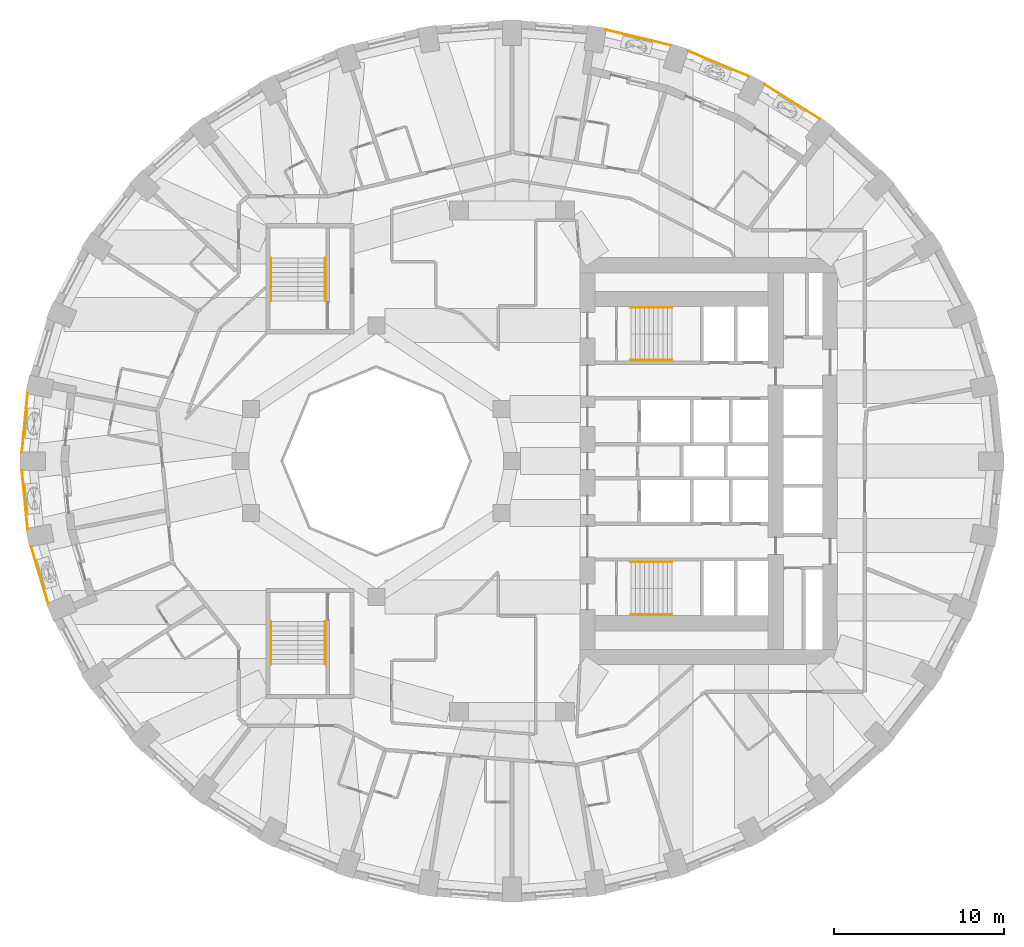
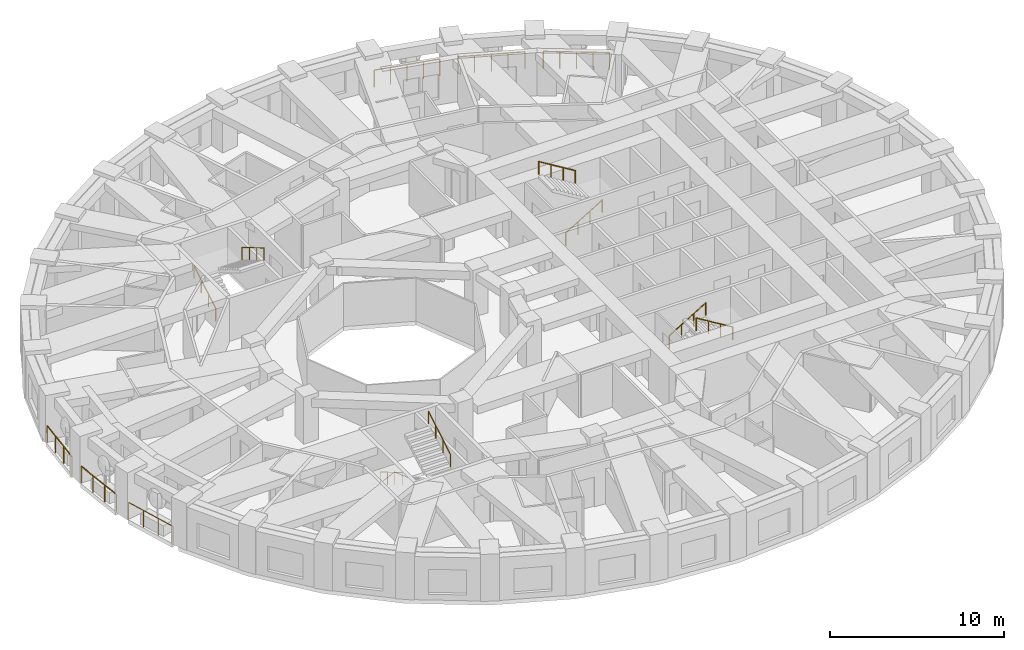
# One storey, part 11 of 13: 14 railings.
"""IFC4 building model written with IfcOpenShell, lengths in metres."""

import ifcopenshell
import ifcopenshell.guid

model = None  # the IFC model being written
_history = None  # IfcOwnerHistory: only IFC2X3 demands one
_inside = {}  # id of a spatial element -> (the spatial element, [elements in it])
_under = {}  # id of a project, library or spatial element -> (it, [spatial elements below it])
_declared = {}  # id of a project -> (the project, [libraries it declares])
_typed = {}  # id of a type object -> (the type object, [elements of that type])
_made_of = {}  # id of a material, layer set ... -> (it, [elements and type objects made of it])


def new_model(schema):
    """Start an empty IFC model of exactly this schema.

    Asked for "IFC4X3", IfcOpenShell would pick the latest addendum, in which some entities
    have other attributes; the version numbers below select the first issue.
    IFC2X3 requires an IfcOwnerHistory on every rooted entity: one is made here for all.
    """
    global model, _history
    if schema == "IFC4X3":
        model = ifcopenshell.file(schema_version=(4, 3, 0, 0))
    else:
        model = ifcopenshell.file(schema=schema)
    _inside.clear()
    _under.clear()
    _declared.clear()
    _typed.clear()
    _made_of.clear()
    _history = None
    if model.schema == "IFC2X3":
        org = make("IfcOrganization", Name="unknown")
        user = make(
            "IfcPersonAndOrganization",
            ThePerson=make("IfcPerson", FamilyName="unknown"),
            TheOrganization=org,
        )
        app = make(
            "IfcApplication",
            ApplicationDeveloper=org,
            Version="unknown",
            ApplicationFullName="unknown",
            ApplicationIdentifier="unknown",
        )
        _history = make(
            "IfcOwnerHistory",
            OwningUser=user,
            OwningApplication=app,
            ChangeAction="ADDED",
            CreationDate=0,
        )
    return model


def make(cls, **values):
    """One entity of the class cls with the attributes given. An attribute that is None is left unset."""
    return model.create_entity(
        cls, **{name: value for name, value in values.items() if value is not None}
    )


def rooted(cls, **values):
    """An entity with a GlobalId (a new one), such as an element, a storey or a relation."""
    return make(cls, GlobalId=ifcopenshell.guid.new(), OwnerHistory=_history, **values)


def si_unit(unit_type, name, prefix=None):
    """IfcSIUnit, for example si_unit("LENGTHUNIT", "METRE", prefix="MILLI")."""
    return make("IfcSIUnit", UnitType=unit_type, Prefix=prefix, Name=name)


def assignment(units):
    """IfcUnitAssignment: the units of a project."""
    return None if units is None else make("IfcUnitAssignment", Units=units)


def point(xyz):
    """IfcCartesianPoint."""
    return None if xyz is None else make("IfcCartesianPoint", Coordinates=xyz)


def direction(xyz):
    """IfcDirection."""
    return None if xyz is None else make("IfcDirection", DirectionRatios=xyz)


def frame(location, z_axis=None, x_axis=None):
    """IfcAxis2Placement3D, a coordinate frame: its origin and axes. An axis left out is left unset."""
    return make(
        "IfcAxis2Placement3D",
        Location=point(location),
        Axis=direction(z_axis),
        RefDirection=direction(x_axis),
    )


def frame_2d(location, x_axis=None):
    """IfcAxis2Placement2D, a coordinate frame in the plane: its origin and x axis."""
    return make(
        "IfcAxis2Placement2D", Location=point(location), RefDirection=direction(x_axis)
    )


def origin():
    """The frame at (0, 0, 0) with its axes left unset."""
    return frame((0.0, 0.0, 0.0))


def origin_2d():
    """The frame at (0, 0) in the plane with its x axis left unset."""
    return frame_2d((0.0, 0.0))


def place(relative_to, where):
    """IfcLocalPlacement: puts the frame where relative to a parent placement (None: the world)."""
    return make(
        "IfcLocalPlacement", PlacementRelTo=relative_to, RelativePlacement=where
    )


def context(
    kind, dimensions, precision=None, world=None, true_north=None, identifier=None
):
    """IfcGeometricRepresentationContext, for example the 3D "Model" context."""
    return make(
        "IfcGeometricRepresentationContext",
        ContextIdentifier=identifier,
        ContextType=kind,
        CoordinateSpaceDimension=dimensions,
        Precision=precision,
        WorldCoordinateSystem=world,
        TrueNorth=true_north,
    )


def subcontext(parent, identifier, kind, view, scale=None):
    """IfcGeometricRepresentationSubContext, for example "Body" below "Model"."""
    return make(
        "IfcGeometricRepresentationSubContext",
        ContextIdentifier=identifier,
        ContextType=kind,
        ParentContext=parent,
        TargetScale=scale,
        TargetView=view,
    )


def project(units=None, contexts=None):
    """IfcProject with its units and contexts."""
    return rooted(
        "IfcProject",
        Name="project",
        RepresentationContexts=contexts,
        UnitsInContext=assignment(units),
    )


def spatial(cls, under=None, at=None, **own):
    """A site, building, storey or space (cls), placed at a placement, below another one or the project."""
    s = rooted(cls, ObjectPlacement=at, **own)
    if under is not None:
        _under.setdefault(under.id(), (under, []))[1].append(s)
    return s


def profile(cls, at=None, kind="AREA", **sizes):
    """A parametric profile (cls). Its sizes go by their IFC names, for example OverallWidth=200.0."""
    return make(cls, ProfileType=kind, Position=at, **sizes)


def circle(**sizes):
    """IfcCircleProfileDef."""
    return profile("IfcCircleProfileDef", **sizes)


def extrude(swept, where, along, depth):
    """IfcExtrudedAreaSolid: the profile swept, set in the frame where, extruded along a direction by depth."""
    return make(
        "IfcExtrudedAreaSolid",
        SweptArea=swept,
        Position=where,
        ExtrudedDirection=direction(along),
        Depth=depth,
    )


def shape(context_of_items, identifier, shape_type, items):
    """IfcShapeRepresentation: the items that make up one representation, for example the "Body"."""
    return make(
        "IfcShapeRepresentation",
        ContextOfItems=context_of_items,
        RepresentationIdentifier=identifier,
        RepresentationType=shape_type,
        Items=items,
    )


def material(Name=None, Category=None):
    """IfcMaterial."""
    return make("IfcMaterial", Name=Name, Category=Category)


def made_of(thing, what):
    """Note that an element or type object is made of a material, layer set ...; save() writes the relation."""
    if what is not None:
        _made_of.setdefault(what.id(), (what, []))[1].append(thing)
    return thing


def type_object(cls, material=None, **own):
    """A type object (cls), such as IfcWallType, which elements share."""
    return made_of(rooted(cls, **own), material)


def element(
    cls,
    number,
    at=None,
    inside=None,
    cuts=None,
    type_object=None,
    material=None,
    context=None,
    identifier="Body",
    shape_type=None,
    held_by="IfcProductDefinitionShape",
    body=None,
    shapes=None,
    **own,
):
    """One element of the class cls, such as IfcWall. Its Tag is "e" and its number.

    at: its placement. inside: the storey or other place that contains it. cuts: it is an
    opening in that element (IfcRelVoidsElement). A single representation is given by context,
    identifier, shape_type and body (its items); several are given by shapes. held_by: the class
    of the entity that holds the representations. save() writes the other relations.
    """
    e = rooted(cls, Tag="e%d" % number, ObjectPlacement=at, **own)
    if body is not None:
        shapes = [shape(context, identifier, shape_type, body)]
    if shapes is not None:
        e.Representation = make(held_by, Representations=shapes)
    if inside is not None:
        _inside.setdefault(inside.id(), (inside, []))[1].append(e)
    if cuts is not None:
        rooted(
            "IfcRelVoidsElement", RelatingBuildingElement=cuts, RelatedOpeningElement=e
        )
    if type_object is not None:
        _typed.setdefault(type_object.id(), (type_object, []))[1].append(e)
    return made_of(e, material)


def aggregate(whole, parts):
    """IfcRelAggregates: a whole, such as a stair, and the parts it consists of."""
    return rooted("IfcRelAggregates", RelatingObject=whole, RelatedObjects=parts)


def save(model, path):
    """Write the relations noted so far, then the file.

    IfcRelAggregates (storeys below a building ...), IfcRelContainedInSpatialStructure (elements
    in a storey), IfcRelDefinesByType, IfcRelAssociatesMaterial and IfcRelDeclares: one each for
    every whole, place, type object, material and project.
    """
    for whole, parts in _under.values():
        aggregate(whole, parts)
    for where, things in _inside.values():
        rooted(
            "IfcRelContainedInSpatialStructure",
            RelatedElements=things,
            RelatingStructure=where,
        )
    for kind, things in _typed.values():
        rooted("IfcRelDefinesByType", RelatedObjects=things, RelatingType=kind)
    for what, things in _made_of.values():
        rooted("IfcRelAssociatesMaterial", RelatedObjects=things, RelatingMaterial=what)
    for by, libraries in _declared.values():
        rooted("IfcRelDeclares", RelatingContext=by, RelatedDefinitions=libraries)
    model.write(path)


model = new_model("IFC4")

# Units and contexts
model_context = context("Model", 3, precision=1e-05, world=origin(), true_north=direction((0.0, 1.0)))
body_context = subcontext(model_context, "Body", "Model", "MODEL_VIEW")
ifc_project = project(units=[si_unit("LENGTHUNIT", "METRE"), si_unit("AREAUNIT", "SQUARE_METRE"), si_unit("VOLUMEUNIT", "CUBIC_METRE"), si_unit("PLANEANGLEUNIT", "RADIAN"), si_unit("MASSUNIT", "GRAM", prefix="KILO")], contexts=[model_context])

# Site, building, storey
site_placement = place(None, origin())
site = spatial("IfcSite", under=ifc_project, at=site_placement, CompositionType="ELEMENT")
building_placement = place(site_placement, origin())
building = spatial("IfcBuilding", under=site, at=building_placement, Name="Taillehof Tower", CompositionType="ELEMENT")
storey_placement = place(building_placement, frame((0.0, 0.0, 61.300048828125)))
storey = spatial("IfcBuildingStorey", under=building, at=storey_placement, Name="L16", CompositionType="ELEMENT", Elevation=61.300048828125)

# Railings
ifc_material_1 = material(Name="Stainless steel balustrade", Category="steel")
railing_type_1 = type_object("IfcRailingType", Name="Balcony guard 1200", PredefinedType="GUARDRAIL", material=ifc_material_1)
railing_1_placement = place(storey_placement, frame((-28.549560546875, 3.987548828125, 0.0)))
element("IfcRailing", 1, at=railing_1_placement, inside=storey, type_object=railing_type_1, Name="Balcony guard L16 bay 18", PredefinedType="GUARDRAIL", context=body_context, shape_type="SweptSolid", body=[
    extrude(circle(Radius=0.02392578125, at=origin_2d()), frame((0.0, 0.0, 1.17578125), z_axis=(-0.097402182783, -0.995245102871, 0.0), x_axis=(0.995245102871, -0.097402182783, 0.0)), (0.0, 0.0, 1.0), 3.47412109375),
    extrude(circle(Radius=0.02099609375, at=origin_2d()), origin(), (0.0, 0.0, 1.0), 1.15185546875),
    extrude(circle(Radius=0.02099609375, at=origin_2d()), frame((-0.11279296875, -1.152587890625, 0.0)), (0.0, 0.0, 1.0), 1.15185546875),
    extrude(circle(Radius=0.02099609375, at=origin_2d()), frame((-0.2255859375, -2.304931640625, 0.0)), (0.0, 0.0, 1.0), 1.15185546875),
    extrude(circle(Radius=0.02099609375, at=origin_2d()), frame((-0.33837890625, -3.45751953125, 0.0)), (0.0, 0.0, 1.0), 1.15185546875),
])
railing_2_placement = place(storey_placement, frame((-28.887939453125, -0.530029296875, 0.0)))
element("IfcRailing", 2, at=railing_2_placement, inside=storey, type_object=railing_type_1, Name="Balcony guard L16 bay 19", PredefinedType="GUARDRAIL", context=body_context, shape_type="SweptSolid", body=[
    extrude(circle(Radius=0.02392578125, at=origin_2d()), frame((0.0, 0.0, 1.17578125), z_axis=(0.097402182783, -0.995245102871, 0.0), x_axis=(0.995245102871, 0.097402182783, 0.0)), (0.0, 0.0, 1.0), 3.47412109375),
    extrude(circle(Radius=0.02099609375, at=origin_2d()), origin(), (0.0, 0.0, 1.0), 1.15185546875),
    extrude(circle(Radius=0.02099609375, at=origin_2d()), frame((0.11279296875, -1.152587890625, 0.0)), (0.0, 0.0, 1.0), 1.15185546875),
    extrude(circle(Radius=0.02099609375, at=origin_2d()), frame((0.2255859375, -2.304931640625, 0.0)), (0.0, 0.0, 1.0), 1.15185546875),
    extrude(circle(Radius=0.02099609375, at=origin_2d()), frame((0.33837890625, -3.45751953125, 0.0)), (0.0, 0.0, 1.0), 1.15185546875),
])
railing_3_placement = place(storey_placement, frame((-28.3447265625, -5.02783203125, 0.0)))
element("IfcRailing", 3, at=railing_3_placement, inside=storey, type_object=railing_type_1, Name="Balcony guard L16 bay 20", PredefinedType="GUARDRAIL", context=body_context, shape_type="SweptSolid", body=[
    extrude(circle(Radius=0.02392578125, at=origin_2d()), frame((0.0, 0.0, 1.17578125), z_axis=(0.287098668231, -0.957901015085, 0.0), x_axis=(0.957901015085, 0.287098668231, 0.0)), (0.0, 0.0, 1.0), 3.505126953125),
    extrude(circle(Radius=0.02099609375, at=origin_2d()), origin(), (0.0, 0.0, 1.0), 1.15185546875),
    extrude(circle(Radius=0.02099609375, at=origin_2d()), frame((0.33544921875, -1.119140625, 0.0)), (0.0, 0.0, 1.0), 1.15185546875),
    extrude(circle(Radius=0.02099609375, at=origin_2d()), frame((0.6708984375, -2.238525390625, 0.0)), (0.0, 0.0, 1.0), 1.15185546875),
    extrude(circle(Radius=0.02099609375, at=origin_2d()), frame((1.00634765625, -3.357666015625, 0.0)), (0.0, 0.0, 1.0), 1.15185546875),
])
railing_4_placement = place(storey_placement, frame((18.12255859375, 20.176025390625, 0.0)))
element("IfcRailing", 4, at=railing_4_placement, inside=storey, type_object=railing_type_1, Name="Balcony guard L16 bay 6", PredefinedType="GUARDRAIL", context=body_context, shape_type="SweptSolid", body=[
    extrude(circle(Radius=0.02392578125, at=origin_2d()), frame((0.0, 0.0, 1.17578125), z_axis=(-0.847656150947, 0.530545992127, 0.0), x_axis=(-0.530545992127, -0.847656150947, 0.0)), (0.0, 0.0, 1.0), 3.810302734375),
    extrude(circle(Radius=0.02099609375, at=origin_2d()), origin(), (0.0, 0.0, 1.0), 1.15185546875),
    extrude(circle(Radius=0.02099609375, at=origin_2d()), frame((-0.807373046875, 0.50537109375, 0.0)), (0.0, 0.0, 1.0), 1.15185546875),
    extrude(circle(Radius=0.02099609375, at=origin_2d()), frame((-1.61474609375, 1.0107421875, 0.0)), (0.0, 0.0, 1.0), 1.15185546875),
    extrude(circle(Radius=0.02099609375, at=origin_2d()), frame((-2.42236328125, 1.51611328125, 0.0)), (0.0, 0.0, 1.0), 1.15185546875),
    extrude(circle(Radius=0.02099609375, at=origin_2d()), frame((-3.229736328125, 2.021484375, 0.0)), (0.0, 0.0, 1.0), 1.15185546875),
])
railing_5_placement = place(storey_placement, frame((13.951171875, 22.684326171875, 0.0)))
element("IfcRailing", 5, at=railing_5_placement, inside=storey, type_object=railing_type_1, Name="Balcony guard L16 bay 7", PredefinedType="GUARDRAIL", context=body_context, shape_type="SweptSolid", body=[
    extrude(circle(Radius=0.02392578125, at=origin_2d()), frame((0.0, 0.0, 1.17578125), z_axis=(-0.923011806559, 0.384771627011, 0.0), x_axis=(-0.384771627011, -0.923011806559, 0.0)), (0.0, 0.0, 1.0), 3.88330078125),
    extrude(circle(Radius=0.02099609375, at=origin_2d()), origin(), (0.0, 0.0, 1.0), 1.15185546875),
    extrude(circle(Radius=0.02099609375, at=origin_2d()), frame((-0.89599609375, 0.37353515625, 0.0)), (0.0, 0.0, 1.0), 1.15185546875),
    extrude(circle(Radius=0.02099609375, at=origin_2d()), frame((-1.7919921875, 0.7470703125, 0.0)), (0.0, 0.0, 1.0), 1.15185546875),
    extrude(circle(Radius=0.02099609375, at=origin_2d()), frame((-2.688232421875, 1.12060546875, 0.0)), (0.0, 0.0, 1.0), 1.15185546875),
    extrude(circle(Radius=0.02099609375, at=origin_2d()), frame((-3.584228515625, 1.494140625, 0.0)), (0.0, 0.0, 1.0), 1.15185546875),
])
railing_6_placement = place(storey_placement, frame((9.35888671875, 24.5068359375, 0.0)))
element("IfcRailing", 6, at=railing_6_placement, inside=storey, type_object=railing_type_1, Name="Balcony guard L16 bay 8", PredefinedType="GUARDRAIL", context=body_context, shape_type="SweptSolid", body=[
    extrude(circle(Radius=0.02392578125, at=origin_2d()), frame((0.0, 0.0, 1.17578125), z_axis=(-0.972495275648, 0.232922602687, 0.0), x_axis=(-0.232922602687, -0.972495275648, 0.0)), (0.0, 0.0, 1.0), 3.93701171875),
    extrude(circle(Radius=0.02099609375, at=origin_2d()), origin(), (0.0, 0.0, 1.0), 1.15185546875),
    extrude(circle(Radius=0.02099609375, at=origin_2d()), frame((-0.95703125, 0.229248046875, 0.0)), (0.0, 0.0, 1.0), 1.15185546875),
    extrude(circle(Radius=0.02099609375, at=origin_2d()), frame((-1.914306640625, 0.45849609375, 0.0)), (0.0, 0.0, 1.0), 1.15185546875),
    extrude(circle(Radius=0.02099609375, at=origin_2d()), frame((-2.87158203125, 0.687744140625, 0.0)), (0.0, 0.0, 1.0), 1.15185546875),
    extrude(circle(Radius=0.02099609375, at=origin_2d()), frame((-3.82861328125, 0.9169921875, 0.0)), (0.0, 0.0, 1.0), 1.15185546875),
])
ifc_material_2 = material(Name="Stainless steel", Category="steel")
railing_type_2 = type_object("IfcRailingType", Name="Stair handrail 900", PredefinedType="HANDRAIL", material=ifc_material_2)
railing_7_placement = place(storey_placement, frame((7.0, 5.949951171875, 0.1650390625)))
element("IfcRailing", 7, at=railing_7_placement, inside=storey, type_object=railing_type_2, Name="Stair S1 handrail", PredefinedType="HANDRAIL", context=body_context, shape_type="SweptSolid", body=[
    extrude(circle(Radius=0.02392578125, at=origin_2d()), frame((0.0, 0.0, 0.8759765625), z_axis=(0.853296667938, 0.0, 0.521425734392), x_axis=(0.0, 1.0, 0.0)), (0.0, 0.0, 1.0), 2.84765625),
    extrude(circle(Radius=0.02099609375, at=origin_2d()), origin(), (0.0, 0.0, 1.0), 0.851806640625),
    extrude(circle(Radius=0.02099609375, at=origin_2d()), frame((0.81005859375, 0.0, 0.494873046875)), (0.0, 0.0, 1.0), 0.851806640625),
    extrude(circle(Radius=0.02099609375, at=origin_2d()), frame((1.619873046875, 0.0, 0.989990234375)), (0.0, 0.0, 1.0), 0.851806640625),
    extrude(circle(Radius=0.02099609375, at=origin_2d()), frame((2.429931640625, 0.0, 1.48486328125)), (0.0, 0.0, 1.0), 0.851806640625),
])
railing_8_placement = place(storey_placement, frame((9.429931640625, 9.050048828125, 1.81494140625)))
element("IfcRailing", 8, at=railing_8_placement, inside=storey, type_object=railing_type_2, Name="Stair S1 handrail", PredefinedType="HANDRAIL", context=body_context, shape_type="SweptSolid", body=[
    extrude(circle(Radius=0.02392578125, at=origin_2d()), frame((0.0, 0.0, 0.8759765625), z_axis=(-0.853258522278, 0.0, 0.521488153423), x_axis=(0.0, -1.0, 0.0)), (0.0, 0.0, 1.0), 2.847900390625),
    extrude(circle(Radius=0.02099609375, at=origin_2d()), origin(), (0.0, 0.0, 1.0), 0.851806640625),
    extrude(circle(Radius=0.02099609375, at=origin_2d()), frame((-0.81005859375, 0.0, 0.4951171875)), (0.0, 0.0, 1.0), 0.851806640625),
    extrude(circle(Radius=0.02099609375, at=origin_2d()), frame((-1.619873046875, 0.0, 0.989990234375)), (0.0, 0.0, 1.0), 0.851806640625),
    extrude(circle(Radius=0.02099609375, at=origin_2d()), frame((-2.429931640625, 0.0, 1.485107421875)), (0.0, 0.0, 1.0), 0.851806640625),
])
railing_9_placement = place(storey_placement, frame((7.0, -5.949951171875, 0.1650390625)))
element("IfcRailing", 9, at=railing_9_placement, inside=storey, type_object=railing_type_2, Name="Stair S2 handrail", PredefinedType="HANDRAIL", context=body_context, shape_type="SweptSolid", body=[
    extrude(circle(Radius=0.02392578125, at=origin_2d()), frame((0.0, 0.0, 0.8759765625), z_axis=(0.853296667938, 0.0, 0.521425734392), x_axis=(0.0, 1.0, 0.0)), (0.0, 0.0, 1.0), 2.84765625),
    extrude(circle(Radius=0.02099609375, at=origin_2d()), origin(), (0.0, 0.0, 1.0), 0.851806640625),
    extrude(circle(Radius=0.02099609375, at=origin_2d()), frame((0.81005859375, 0.0, 0.494873046875)), (0.0, 0.0, 1.0), 0.851806640625),
    extrude(circle(Radius=0.02099609375, at=origin_2d()), frame((1.619873046875, 0.0, 0.989990234375)), (0.0, 0.0, 1.0), 0.851806640625),
    extrude(circle(Radius=0.02099609375, at=origin_2d()), frame((2.429931640625, 0.0, 1.48486328125)), (0.0, 0.0, 1.0), 0.851806640625),
])
railing_10_placement = place(storey_placement, frame((9.429931640625, -9.050048828125, 1.81494140625)))
element("IfcRailing", 10, at=railing_10_placement, inside=storey, type_object=railing_type_2, Name="Stair S2 handrail", PredefinedType="HANDRAIL", context=body_context, shape_type="SweptSolid", body=[
    extrude(circle(Radius=0.02392578125, at=origin_2d()), frame((0.0, 0.0, 0.8759765625), z_axis=(-0.853258522278, 0.0, 0.521488153423), x_axis=(0.0, -1.0, 0.0)), (0.0, 0.0, 1.0), 2.847900390625),
    extrude(circle(Radius=0.02099609375, at=origin_2d()), origin(), (0.0, 0.0, 1.0), 0.851806640625),
    extrude(circle(Radius=0.02099609375, at=origin_2d()), frame((-0.81005859375, 0.0, 0.4951171875)), (0.0, 0.0, 1.0), 0.851806640625),
    extrude(circle(Radius=0.02099609375, at=origin_2d()), frame((-1.619873046875, 0.0, 0.989990234375)), (0.0, 0.0, 1.0), 0.851806640625),
    extrude(circle(Radius=0.02099609375, at=origin_2d()), frame((-2.429931640625, 0.0, 1.485107421875)), (0.0, 0.0, 1.0), 0.851806640625),
])
railing_11_placement = place(storey_placement, frame((-14.199951171875, 9.449951171875, 0.1650390625)))
element("IfcRailing", 11, at=railing_11_placement, inside=storey, type_object=railing_type_2, Name="Stair S3 handrail", PredefinedType="HANDRAIL", context=body_context, shape_type="SweptSolid", body=[
    extrude(circle(Radius=0.02392578125, at=origin_2d()), frame((0.0, 0.0, 0.8759765625), z_axis=(0.0, 0.861560626758, 0.507654692109), x_axis=(-1.0, 0.0, 0.0)), (0.0, 0.0, 1.0), 2.925048828125),
    extrude(circle(Radius=0.02099609375, at=origin_2d()), origin(), (0.0, 0.0, 1.0), 0.851806640625),
    extrude(circle(Radius=0.02099609375, at=origin_2d()), frame((0.0, 0.840087890625, 0.494873046875)), (0.0, 0.0, 1.0), 0.851806640625),
    extrude(circle(Radius=0.02099609375, at=origin_2d()), frame((0.0, 1.679931640625, 0.989990234375)), (0.0, 0.0, 1.0), 0.851806640625),
    extrude(circle(Radius=0.02099609375, at=origin_2d()), frame((0.0, 2.52001953125, 1.48486328125)), (0.0, 0.0, 1.0), 0.851806640625),
])
railing_12_placement = place(storey_placement, frame((-11.0, 11.969970703125, 1.81494140625)))
element("IfcRailing", 12, at=railing_12_placement, inside=storey, type_object=railing_type_2, Name="Stair S3 handrail", PredefinedType="HANDRAIL", context=body_context, shape_type="SweptSolid", body=[
    extrude(circle(Radius=0.02392578125, at=origin_2d()), frame((0.0, 0.0, 0.8759765625), z_axis=(0.0, -0.86152411907, 0.507716645641), x_axis=(1.0, 0.0, 0.0)), (0.0, 0.0, 1.0), 2.925048828125),
    extrude(circle(Radius=0.02099609375, at=origin_2d()), origin(), (0.0, 0.0, 1.0), 0.851806640625),
    extrude(circle(Radius=0.02099609375, at=origin_2d()), frame((0.0, -0.840087890625, 0.4951171875)), (0.0, 0.0, 1.0), 0.851806640625),
    extrude(circle(Radius=0.02099609375, at=origin_2d()), frame((0.0, -1.679931640625, 0.989990234375)), (0.0, 0.0, 1.0), 0.851806640625),
    extrude(circle(Radius=0.02099609375, at=origin_2d()), frame((0.0, -2.52001953125, 1.485107421875)), (0.0, 0.0, 1.0), 0.851806640625),
])
railing_13_placement = place(storey_placement, frame((-14.199951171875, -9.449951171875, 0.1650390625)))
element("IfcRailing", 13, at=railing_13_placement, inside=storey, type_object=railing_type_2, Name="Stair S4 handrail", PredefinedType="HANDRAIL", context=body_context, shape_type="SweptSolid", body=[
    extrude(circle(Radius=0.02392578125, at=origin_2d()), frame((0.0, 0.0, 0.8759765625), z_axis=(0.0, -0.861560626758, 0.507654692109), x_axis=(1.0, 0.0, 0.0)), (0.0, 0.0, 1.0), 2.925048828125),
    extrude(circle(Radius=0.02099609375, at=origin_2d()), origin(), (0.0, 0.0, 1.0), 0.851806640625),
    extrude(circle(Radius=0.02099609375, at=origin_2d()), frame((0.0, -0.840087890625, 0.494873046875)), (0.0, 0.0, 1.0), 0.851806640625),
    extrude(circle(Radius=0.02099609375, at=origin_2d()), frame((0.0, -1.679931640625, 0.989990234375)), (0.0, 0.0, 1.0), 0.851806640625),
    extrude(circle(Radius=0.02099609375, at=origin_2d()), frame((0.0, -2.52001953125, 1.48486328125)), (0.0, 0.0, 1.0), 0.851806640625),
])
railing_14_placement = place(storey_placement, frame((-11.0, -11.969970703125, 1.81494140625)))
element("IfcRailing", 14, at=railing_14_placement, inside=storey, type_object=railing_type_2, Name="Stair S4 handrail", PredefinedType="HANDRAIL", context=body_context, shape_type="SweptSolid", body=[
    extrude(circle(Radius=0.02392578125, at=origin_2d()), frame((0.0, 0.0, 0.8759765625), z_axis=(0.0, 0.86152411907, 0.507716645641), x_axis=(-1.0, 0.0, 0.0)), (0.0, 0.0, 1.0), 2.925048828125),
    extrude(circle(Radius=0.02099609375, at=origin_2d()), origin(), (0.0, 0.0, 1.0), 0.851806640625),
    extrude(circle(Radius=0.02099609375, at=origin_2d()), frame((0.0, 0.840087890625, 0.4951171875)), (0.0, 0.0, 1.0), 0.851806640625),
    extrude(circle(Radius=0.02099609375, at=origin_2d()), frame((0.0, 1.679931640625, 0.989990234375)), (0.0, 0.0, 1.0), 0.851806640625),
    extrude(circle(Radius=0.02099609375, at=origin_2d()), frame((0.0, 2.52001953125, 1.485107421875)), (0.0, 0.0, 1.0), 0.851806640625),
])

save(model, "model.ifc")
